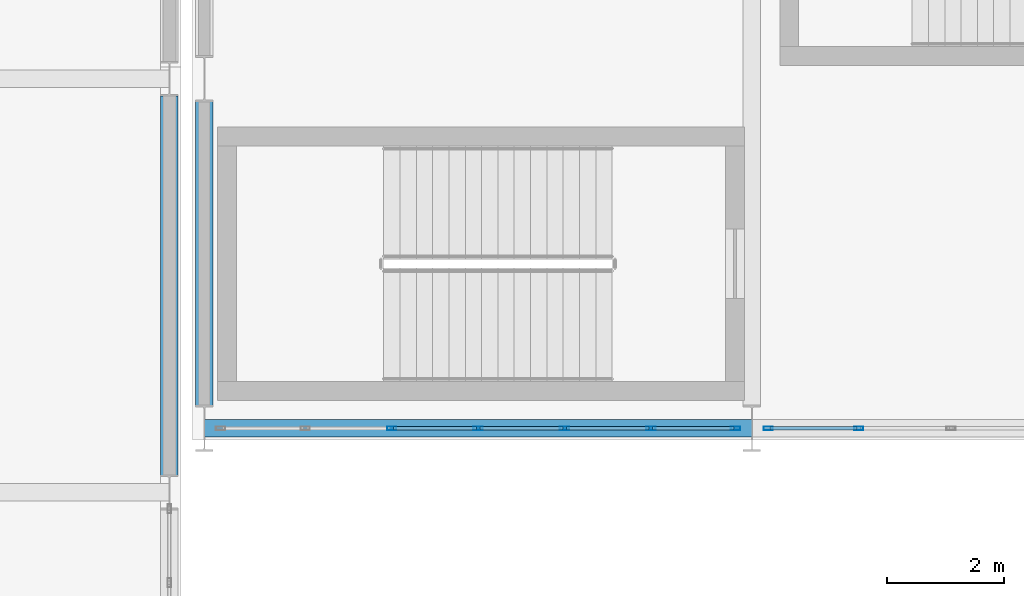
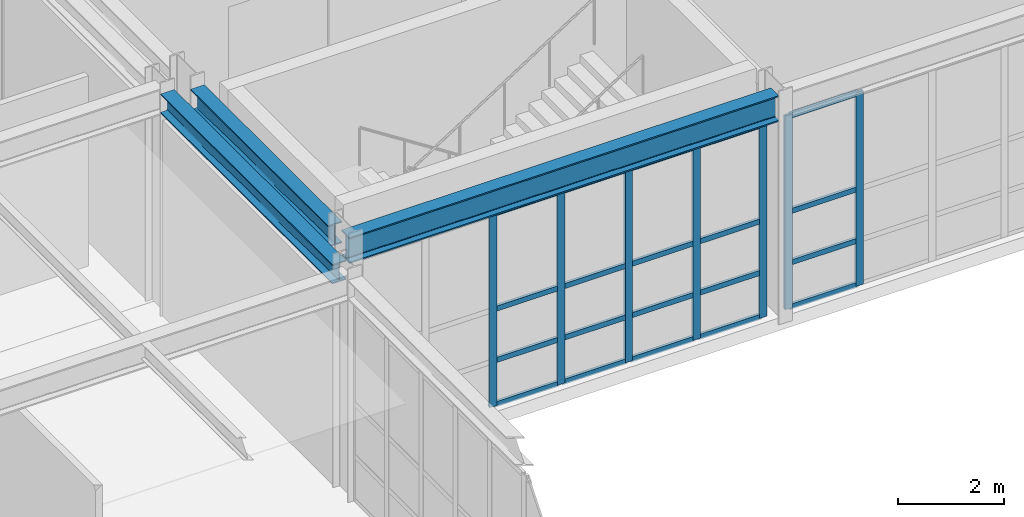
# One storey, part 109 of 210: 27 members, 3 beams, 2 elements without a shape of their own.
"""IFC4 building model written with IfcOpenShell, lengths in metres."""

from ifc_helpers import new_model, si_unit, direction, frame, origin, origin_2d, place, context, subcontext, project, spatial, hollow_rectangle, i_section, extrude, material, material_profile, profile_set, type_object, element, aggregate, save


model = new_model("IFC4")

# Units and contexts
model_context = context("Model", 3, precision=1e-05, world=origin(), true_north=direction((0.0, 1.0)))
body_context = subcontext(model_context, "Body", "Model", "MODEL_VIEW")
ifc_project = project(units=[si_unit("LENGTHUNIT", "METRE"), si_unit("AREAUNIT", "SQUARE_METRE"), si_unit("VOLUMEUNIT", "CUBIC_METRE"), si_unit("PLANEANGLEUNIT", "RADIAN"), si_unit("MASSUNIT", "GRAM", prefix="KILO")], contexts=[model_context])

# Site, building, storey
site_placement = place(None, origin())
site = spatial("IfcSite", under=ifc_project, at=site_placement, CompositionType="ELEMENT")
building_placement = place(site_placement, origin())
building = spatial("IfcBuilding", under=site, at=building_placement, Name="Kaldris Quays Convention Centre", CompositionType="ELEMENT")
storey_placement = place(building_placement, frame((0.0, 0.0, 6.0)))
storey = spatial("IfcBuildingStorey", under=building, at=storey_placement, Name="L01", CompositionType="ELEMENT", Elevation=6.0)

# Curtain wall, members
ifc_material_1 = material(Name="Anodized aluminium AW-6060 and triple glazing", Category="aluminium")
curtain_wall_type = type_object("IfcCurtainWallType", Name="UNITISED CURTAIN WALL CW01", PredefinedType="NOTDEFINED", material=ifc_material_1)
curtain_wall_1_placement = place(storey_placement, origin())
curtain_wall_1 = element("IfcCurtainWall", 1, at=curtain_wall_1_placement, inside=storey, type_object=curtain_wall_type, Name="L01 Unitised Curtain Wall CW01 22", PredefinedType="NOTDEFINED")
ifc_material_2 = material(Name="Anodized aluminium AW-6060", Category="aluminium")
ifc_material_profile_1 = material_profile(ifc_material_2, hollow_rectangle(XDim=0.06005859375, YDim=0.159912109375, WallThickness=0.00390625, at=origin_2d()), Name="RHS 160x60x4")
ifc_profile_set_1 = profile_set([ifc_material_profile_1], Name="Anodized aluminium AW-6060")
member_type_1 = type_object("IfcMemberType", Name="CURTAIN MULLION CWM1", PredefinedType="MULLION", material=ifc_profile_set_1)
member_1_placement = place(storey_placement, frame((167.816650390625, 56.0, 0.0), z_axis=(0.0, 0.0, 1.0), x_axis=(0.0, 1.0, 0.0)))
member_1 = element("IfcMember", 2, at=member_1_placement, type_object=member_type_1, Name="CW01 mullion 3", PredefinedType="MULLION", context=body_context, shape_type="SweptSolid", body=[
    extrude(hollow_rectangle(XDim=0.06005859375, YDim=0.159912109375, WallThickness=0.00390625, at=origin_2d()), origin(), (0.0, 0.0, 1.0), 4.47802734375),
])
member_2_placement = place(storey_placement, frame((169.300048828125, 56.0, 0.0), z_axis=(0.0, 0.0, 1.0), x_axis=(0.0, 1.0, 0.0)))
member_2 = element("IfcMember", 3, at=member_2_placement, type_object=member_type_1, Name="CW01 mullion 4", PredefinedType="MULLION", context=body_context, shape_type="SweptSolid", body=[
    extrude(hollow_rectangle(XDim=0.06005859375, YDim=0.159912109375, WallThickness=0.00390625, at=origin_2d()), origin(), (0.0, 0.0, 1.0), 4.47802734375),
])
member_3_placement = place(storey_placement, frame((170.783447265625, 56.0, 0.0), z_axis=(0.0, 0.0, 1.0), x_axis=(0.0, 1.0, 0.0)))
member_3 = element("IfcMember", 4, at=member_3_placement, type_object=member_type_1, Name="CW01 mullion 5", PredefinedType="MULLION", context=body_context, shape_type="SweptSolid", body=[
    extrude(hollow_rectangle(XDim=0.06005859375, YDim=0.159912109375, WallThickness=0.00390625, at=origin_2d()), origin(), (0.0, 0.0, 1.0), 4.47802734375),
])
member_4_placement = place(storey_placement, frame((172.2666015625, 56.0, 0.0), z_axis=(0.0, 0.0, 1.0), x_axis=(0.0, 1.0, 0.0)))
member_4 = element("IfcMember", 5, at=member_4_placement, type_object=member_type_1, Name="CW01 mullion 6", PredefinedType="MULLION", context=body_context, shape_type="SweptSolid", body=[
    extrude(hollow_rectangle(XDim=0.06005859375, YDim=0.159912109375, WallThickness=0.00390625, at=origin_2d()), origin(), (0.0, 0.0, 1.0), 4.47802734375),
])
member_5_placement = place(storey_placement, frame((173.719970703125, 56.0, 0.0), z_axis=(0.0, 0.0, 1.0), x_axis=(0.0, 1.0, 0.0)))
member_5 = element("IfcMember", 6, at=member_5_placement, type_object=member_type_1, Name="CW01 mullion 7", PredefinedType="MULLION", context=body_context, shape_type="SweptSolid", body=[
    extrude(hollow_rectangle(XDim=0.06005859375, YDim=0.159912109375, WallThickness=0.00390625, at=origin_2d()), origin(), (0.0, 0.0, 1.0), 4.47802734375),
])

curtain_wall_2_placement = place(storey_placement, origin())
curtain_wall_2 = element("IfcCurtainWall", 7, at=curtain_wall_2_placement, inside=storey, type_object=curtain_wall_type, Name="L01 Unitised Curtain Wall CW01 23", PredefinedType="NOTDEFINED")
member_6_placement = place(storey_placement, frame((174.280029296875, 56.0, 0.0), z_axis=(0.0, 0.0, 1.0), x_axis=(0.0, 1.0, 0.0)))
member_6 = element("IfcMember", 8, at=member_6_placement, type_object=member_type_1, Name="CW01 mullion 1", PredefinedType="MULLION", context=body_context, shape_type="SweptSolid", body=[
    extrude(hollow_rectangle(XDim=0.06005859375, YDim=0.159912109375, WallThickness=0.00390625, at=origin_2d()), origin(), (0.0, 0.0, 1.0), 4.47802734375),
])
member_7_placement = place(storey_placement, frame((175.833251953125, 56.0, 0.0), z_axis=(0.0, 0.0, 1.0), x_axis=(0.0, 1.0, 0.0)))
member_7 = element("IfcMember", 9, at=member_7_placement, type_object=member_type_1, Name="CW01 mullion 2", PredefinedType="MULLION", context=body_context, shape_type="SweptSolid", body=[
    extrude(hollow_rectangle(XDim=0.06005859375, YDim=0.159912109375, WallThickness=0.00390625, at=origin_2d()), origin(), (0.0, 0.0, 1.0), 4.47802734375),
])

# Member
ifc_material_profile_2 = material_profile(ifc_material_2, hollow_rectangle(XDim=0.06005859375, YDim=0.1201171875, WallThickness=0.00390625, at=origin_2d()), Name="RHS 120x60x4")
ifc_profile_set_2 = profile_set([ifc_material_profile_2], Name="Anodized aluminium AW-6060")
member_type_2 = type_object("IfcMemberType", Name="CURTAIN TRANSOM CWT1", PredefinedType="USERDEFINED", material=ifc_profile_set_2)
member_8_placement = place(storey_placement, frame((167.8466796875, 56.0, 0.030029296875), z_axis=(1.0, 0.0, 0.0), x_axis=(0.0, 1.0, 0.0)))
member_8 = element("IfcMember", 10, at=member_8_placement, type_object=member_type_2, Name="CW01 transom 3.1", ObjectType="TRANSOM", PredefinedType="USERDEFINED", context=body_context, shape_type="SweptSolid", body=[
    extrude(hollow_rectangle(XDim=0.06005859375, YDim=0.1201171875, WallThickness=0.00390625, at=origin_2d()), origin(), (0.0, 0.0, 1.0), 1.42333984375),
])

member_9_placement = place(storey_placement, frame((167.8466796875, 56.0, 1.050048828125), z_axis=(1.0, 0.0, 0.0), x_axis=(0.0, 1.0, 0.0)))
member_9 = element("IfcMember", 11, at=member_9_placement, type_object=member_type_2, Name="CW01 transom 3.2", ObjectType="TRANSOM", PredefinedType="USERDEFINED", context=body_context, shape_type="SweptSolid", body=[
    extrude(hollow_rectangle(XDim=0.06005859375, YDim=0.1201171875, WallThickness=0.00390625, at=origin_2d()), origin(), (0.0, 0.0, 1.0), 1.42333984375),
])

member_10_placement = place(storey_placement, frame((167.8466796875, 56.0, 2.239013671875), z_axis=(1.0, 0.0, 0.0), x_axis=(0.0, 1.0, 0.0)))
member_10 = element("IfcMember", 12, at=member_10_placement, type_object=member_type_2, Name="CW01 transom 3.3", ObjectType="TRANSOM", PredefinedType="USERDEFINED", context=body_context, shape_type="SweptSolid", body=[
    extrude(hollow_rectangle(XDim=0.06005859375, YDim=0.1201171875, WallThickness=0.00390625, at=origin_2d()), origin(), (0.0, 0.0, 1.0), 1.42333984375),
])

member_11_placement = place(storey_placement, frame((167.8466796875, 56.0, 4.447998046875), z_axis=(1.0, 0.0, 0.0), x_axis=(0.0, 1.0, 0.0)))
member_11 = element("IfcMember", 13, at=member_11_placement, type_object=member_type_2, Name="CW01 transom 3.4", ObjectType="TRANSOM", PredefinedType="USERDEFINED", context=body_context, shape_type="SweptSolid", body=[
    extrude(hollow_rectangle(XDim=0.06005859375, YDim=0.1201171875, WallThickness=0.00390625, at=origin_2d()), origin(), (0.0, 0.0, 1.0), 1.42333984375),
])

member_12_placement = place(storey_placement, frame((169.330078125, 56.0, 0.030029296875), z_axis=(1.0, 0.0, 0.0), x_axis=(0.0, 1.0, 0.0)))
member_12 = element("IfcMember", 14, at=member_12_placement, type_object=member_type_2, Name="CW01 transom 4.1", ObjectType="TRANSOM", PredefinedType="USERDEFINED", context=body_context, shape_type="SweptSolid", body=[
    extrude(hollow_rectangle(XDim=0.06005859375, YDim=0.1201171875, WallThickness=0.00390625, at=origin_2d()), origin(), (0.0, 0.0, 1.0), 1.42333984375),
])

member_13_placement = place(storey_placement, frame((169.330078125, 56.0, 1.050048828125), z_axis=(1.0, 0.0, 0.0), x_axis=(0.0, 1.0, 0.0)))
member_13 = element("IfcMember", 15, at=member_13_placement, type_object=member_type_2, Name="CW01 transom 4.2", ObjectType="TRANSOM", PredefinedType="USERDEFINED", context=body_context, shape_type="SweptSolid", body=[
    extrude(hollow_rectangle(XDim=0.06005859375, YDim=0.1201171875, WallThickness=0.00390625, at=origin_2d()), origin(), (0.0, 0.0, 1.0), 1.42333984375),
])

member_14_placement = place(storey_placement, frame((169.330078125, 56.0, 2.239013671875), z_axis=(1.0, 0.0, 0.0), x_axis=(0.0, 1.0, 0.0)))
member_14 = element("IfcMember", 16, at=member_14_placement, type_object=member_type_2, Name="CW01 transom 4.3", ObjectType="TRANSOM", PredefinedType="USERDEFINED", context=body_context, shape_type="SweptSolid", body=[
    extrude(hollow_rectangle(XDim=0.06005859375, YDim=0.1201171875, WallThickness=0.00390625, at=origin_2d()), origin(), (0.0, 0.0, 1.0), 1.42333984375),
])

member_15_placement = place(storey_placement, frame((169.330078125, 56.0, 4.447998046875), z_axis=(1.0, 0.0, 0.0), x_axis=(0.0, 1.0, 0.0)))
member_15 = element("IfcMember", 17, at=member_15_placement, type_object=member_type_2, Name="CW01 transom 4.4", ObjectType="TRANSOM", PredefinedType="USERDEFINED", context=body_context, shape_type="SweptSolid", body=[
    extrude(hollow_rectangle(XDim=0.06005859375, YDim=0.1201171875, WallThickness=0.00390625, at=origin_2d()), origin(), (0.0, 0.0, 1.0), 1.42333984375),
])

member_16_placement = place(storey_placement, frame((170.813232421875, 56.0, 0.030029296875), z_axis=(1.0, 0.0, 0.0), x_axis=(0.0, 1.0, 0.0)))
member_16 = element("IfcMember", 18, at=member_16_placement, type_object=member_type_2, Name="CW01 transom 5.1", ObjectType="TRANSOM", PredefinedType="USERDEFINED", context=body_context, shape_type="SweptSolid", body=[
    extrude(hollow_rectangle(XDim=0.06005859375, YDim=0.1201171875, WallThickness=0.00390625, at=origin_2d()), origin(), (0.0, 0.0, 1.0), 1.42333984375),
])

member_17_placement = place(storey_placement, frame((170.813232421875, 56.0, 1.050048828125), z_axis=(1.0, 0.0, 0.0), x_axis=(0.0, 1.0, 0.0)))
member_17 = element("IfcMember", 19, at=member_17_placement, type_object=member_type_2, Name="CW01 transom 5.2", ObjectType="TRANSOM", PredefinedType="USERDEFINED", context=body_context, shape_type="SweptSolid", body=[
    extrude(hollow_rectangle(XDim=0.06005859375, YDim=0.1201171875, WallThickness=0.00390625, at=origin_2d()), origin(), (0.0, 0.0, 1.0), 1.42333984375),
])

member_18_placement = place(storey_placement, frame((170.813232421875, 56.0, 2.239013671875), z_axis=(1.0, 0.0, 0.0), x_axis=(0.0, 1.0, 0.0)))
member_18 = element("IfcMember", 20, at=member_18_placement, type_object=member_type_2, Name="CW01 transom 5.3", ObjectType="TRANSOM", PredefinedType="USERDEFINED", context=body_context, shape_type="SweptSolid", body=[
    extrude(hollow_rectangle(XDim=0.06005859375, YDim=0.1201171875, WallThickness=0.00390625, at=origin_2d()), origin(), (0.0, 0.0, 1.0), 1.42333984375),
])

member_19_placement = place(storey_placement, frame((170.813232421875, 56.0, 4.447998046875), z_axis=(1.0, 0.0, 0.0), x_axis=(0.0, 1.0, 0.0)))
member_19 = element("IfcMember", 21, at=member_19_placement, type_object=member_type_2, Name="CW01 transom 5.4", ObjectType="TRANSOM", PredefinedType="USERDEFINED", context=body_context, shape_type="SweptSolid", body=[
    extrude(hollow_rectangle(XDim=0.06005859375, YDim=0.1201171875, WallThickness=0.00390625, at=origin_2d()), origin(), (0.0, 0.0, 1.0), 1.42333984375),
])

member_20_placement = place(storey_placement, frame((172.296630859375, 56.0, 0.030029296875), z_axis=(1.0, 0.0, 0.0), x_axis=(0.0, 1.0, 0.0)))
member_20 = element("IfcMember", 22, at=member_20_placement, type_object=member_type_2, Name="CW01 transom 6.1", ObjectType="TRANSOM", PredefinedType="USERDEFINED", context=body_context, shape_type="SweptSolid", body=[
    extrude(hollow_rectangle(XDim=0.06005859375, YDim=0.1201171875, WallThickness=0.00390625, at=origin_2d()), origin(), (0.0, 0.0, 1.0), 1.393310546875),
])

member_21_placement = place(storey_placement, frame((172.296630859375, 56.0, 1.050048828125), z_axis=(1.0, 0.0, 0.0), x_axis=(0.0, 1.0, 0.0)))
member_21 = element("IfcMember", 23, at=member_21_placement, type_object=member_type_2, Name="CW01 transom 6.2", ObjectType="TRANSOM", PredefinedType="USERDEFINED", context=body_context, shape_type="SweptSolid", body=[
    extrude(hollow_rectangle(XDim=0.06005859375, YDim=0.1201171875, WallThickness=0.00390625, at=origin_2d()), origin(), (0.0, 0.0, 1.0), 1.393310546875),
])

member_22_placement = place(storey_placement, frame((172.296630859375, 56.0, 2.239013671875), z_axis=(1.0, 0.0, 0.0), x_axis=(0.0, 1.0, 0.0)))
member_22 = element("IfcMember", 24, at=member_22_placement, type_object=member_type_2, Name="CW01 transom 6.3", ObjectType="TRANSOM", PredefinedType="USERDEFINED", context=body_context, shape_type="SweptSolid", body=[
    extrude(hollow_rectangle(XDim=0.06005859375, YDim=0.1201171875, WallThickness=0.00390625, at=origin_2d()), origin(), (0.0, 0.0, 1.0), 1.393310546875),
])

member_23_placement = place(storey_placement, frame((172.296630859375, 56.0, 4.447998046875), z_axis=(1.0, 0.0, 0.0), x_axis=(0.0, 1.0, 0.0)))
member_23 = element("IfcMember", 25, at=member_23_placement, type_object=member_type_2, Name="CW01 transom 6.4", ObjectType="TRANSOM", PredefinedType="USERDEFINED", context=body_context, shape_type="SweptSolid", body=[
    extrude(hollow_rectangle(XDim=0.06005859375, YDim=0.1201171875, WallThickness=0.00390625, at=origin_2d()), origin(), (0.0, 0.0, 1.0), 1.393310546875),
])

aggregate(curtain_wall_1, [member_1, member_2, member_3, member_4, member_5, member_8, member_9, member_10, member_11, member_12, member_13, member_14, member_15, member_16, member_17, member_18, member_19, member_20, member_21, member_22, member_23])

member_24_placement = place(storey_placement, frame((174.31005859375, 56.0, 0.030029296875), z_axis=(1.0, 0.0, 0.0), x_axis=(0.0, 1.0, 0.0)))
member_24 = element("IfcMember", 26, at=member_24_placement, type_object=member_type_2, Name="CW01 transom 1.1", ObjectType="TRANSOM", PredefinedType="USERDEFINED", context=body_context, shape_type="SweptSolid", body=[
    extrude(hollow_rectangle(XDim=0.06005859375, YDim=0.1201171875, WallThickness=0.00390625, at=origin_2d()), origin(), (0.0, 0.0, 1.0), 1.4931640625),
])

member_25_placement = place(storey_placement, frame((174.31005859375, 56.0, 1.050048828125), z_axis=(1.0, 0.0, 0.0), x_axis=(0.0, 1.0, 0.0)))
member_25 = element("IfcMember", 27, at=member_25_placement, type_object=member_type_2, Name="CW01 transom 1.2", ObjectType="TRANSOM", PredefinedType="USERDEFINED", context=body_context, shape_type="SweptSolid", body=[
    extrude(hollow_rectangle(XDim=0.06005859375, YDim=0.1201171875, WallThickness=0.00390625, at=origin_2d()), origin(), (0.0, 0.0, 1.0), 1.4931640625),
])

member_26_placement = place(storey_placement, frame((174.31005859375, 56.0, 2.239013671875), z_axis=(1.0, 0.0, 0.0), x_axis=(0.0, 1.0, 0.0)))
member_26 = element("IfcMember", 28, at=member_26_placement, type_object=member_type_2, Name="CW01 transom 1.3", ObjectType="TRANSOM", PredefinedType="USERDEFINED", context=body_context, shape_type="SweptSolid", body=[
    extrude(hollow_rectangle(XDim=0.06005859375, YDim=0.1201171875, WallThickness=0.00390625, at=origin_2d()), origin(), (0.0, 0.0, 1.0), 1.4931640625),
])

member_27_placement = place(storey_placement, frame((174.31005859375, 56.0, 4.447998046875), z_axis=(1.0, 0.0, 0.0), x_axis=(0.0, 1.0, 0.0)))
member_27 = element("IfcMember", 29, at=member_27_placement, type_object=member_type_2, Name="CW01 transom 1.4", ObjectType="TRANSOM", PredefinedType="USERDEFINED", context=body_context, shape_type="SweptSolid", body=[
    extrude(hollow_rectangle(XDim=0.06005859375, YDim=0.1201171875, WallThickness=0.00390625, at=origin_2d()), origin(), (0.0, 0.0, 1.0), 1.4931640625),
])

aggregate(curtain_wall_2, [member_6, member_7, member_24, member_25, member_26, member_27])

# Beams
ifc_material_3 = material(Name="Steel S355J2", Category="steel")
ifc_material_profile_3 = material_profile(ifc_material_3, i_section(OverallWidth=0.300048828125, OverallDepth=0.60009765625, WebThickness=0.015380859375, FlangeThickness=0.030029296875, FilletRadius=0.027099609375, at=origin_2d()), Name="HEB 600")
ifc_profile_set_3 = profile_set([ifc_material_profile_3], Name="Steel S355J2")
beam_type_1 = type_object("IfcBeamType", Name="STRUCTURAL BEAM BM05", PredefinedType="BEAM", material=ifc_profile_set_3)
beam_1_placement = place(storey_placement, frame((164.602783203125, 56.0, 4.802978515625), z_axis=(1.0, 0.0, 0.0), x_axis=(0.0, 1.0, 0.0)))
element("IfcBeam", 30, at=beam_1_placement, inside=storey, type_object=beam_type_1, Name="L01 Girder BM05 1", PredefinedType="BEAM", context=body_context, shape_type="SweptSolid", body=[
    extrude(i_section(OverallWidth=0.300048828125, OverallDepth=0.60009765625, WebThickness=0.015380859375, FlangeThickness=0.030029296875, FilletRadius=0.027099609375, at=origin_2d()), origin(), (0.0, 0.0, 1.0), 9.39453125),
])
ifc_material_profile_4 = material_profile(ifc_material_3, i_section(OverallWidth=0.300048828125, OverallDepth=0.5, WebThickness=0.014404296875, FlangeThickness=0.028076171875, FilletRadius=0.027099609375, at=origin_2d()), Name="HEB 500")
ifc_profile_set_4 = profile_set([ifc_material_profile_4], Name="Steel S355J2")
beam_type_2 = type_object("IfcBeamType", Name="STRUCTURAL BEAM BM06", PredefinedType="BEAM", material=ifc_profile_set_4)
beam_2_placement = place(storey_placement, frame((164.60009765625, 56.39404296875, 4.85302734375), z_axis=(0.0, 1.0, 0.0), x_axis=(-1.0, 0.0, 0.0)))
element("IfcBeam", 31, at=beam_2_placement, inside=storey, type_object=beam_type_2, Name="L01 Girder BM06 11", PredefinedType="BEAM", context=body_context, shape_type="SweptSolid", body=[
    extrude(i_section(OverallWidth=0.300048828125, OverallDepth=0.5, WebThickness=0.014404296875, FlangeThickness=0.028076171875, FilletRadius=0.027099609375, at=origin_2d()), origin(), (0.0, 0.0, 1.0), 5.2119140625),
])
ifc_material_profile_5 = material_profile(ifc_material_3, i_section(OverallWidth=0.300048828125, OverallDepth=0.449951171875, WebThickness=0.013916015625, FlangeThickness=0.02587890625, FilletRadius=0.027099609375, at=origin_2d()), Name="HEB 450")
ifc_profile_set_5 = profile_set([ifc_material_profile_5], Name="Steel S355J2")
beam_type_3 = type_object("IfcBeamType", Name="STRUCTURAL BEAM BM07", PredefinedType="BEAM", material=ifc_profile_set_5)
beam_3_placement = place(storey_placement, frame((164.0, 55.194091796875, 4.91796875), z_axis=(0.0, 1.0, 0.0), x_axis=(-1.0, 0.0, 0.0)))
element("IfcBeam", 32, at=beam_3_placement, inside=storey, type_object=beam_type_3, Name="L01 Girder BM07 92", PredefinedType="BEAM", context=body_context, shape_type="SweptSolid", body=[
    extrude(i_section(OverallWidth=0.300048828125, OverallDepth=0.449951171875, WebThickness=0.013916015625, FlangeThickness=0.02587890625, FilletRadius=0.027099609375, at=origin_2d()), origin(), (0.0, 0.0, 1.0), 6.511962890625),
])

save(model, "model.ifc")
